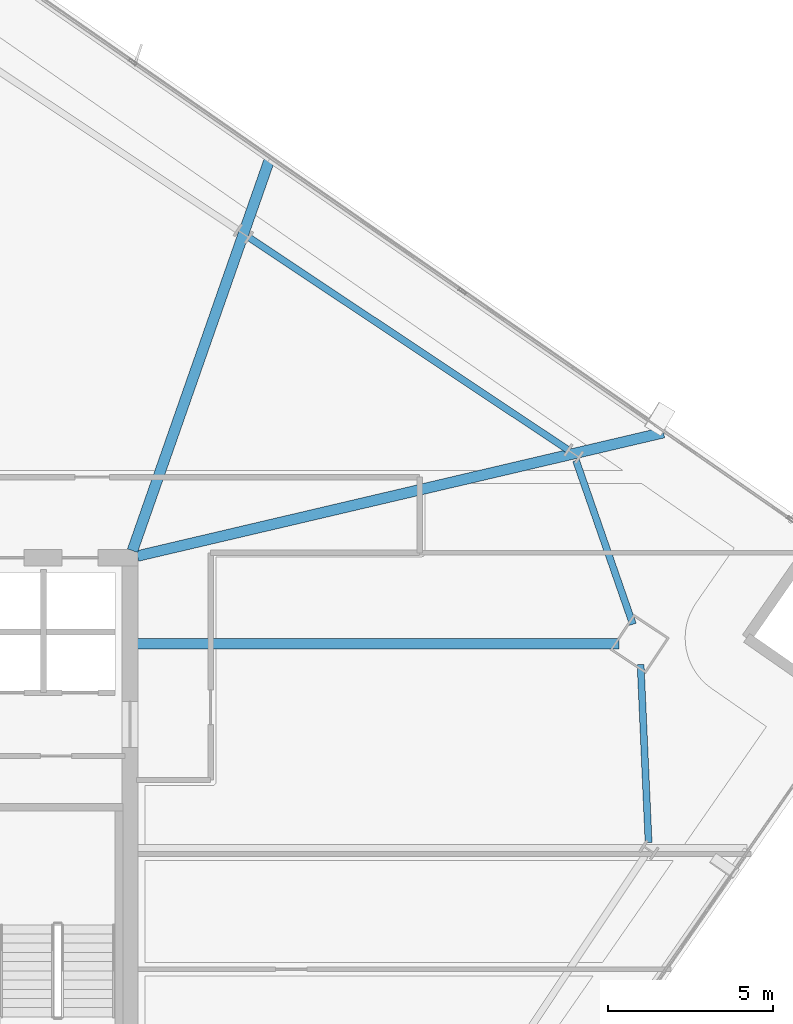
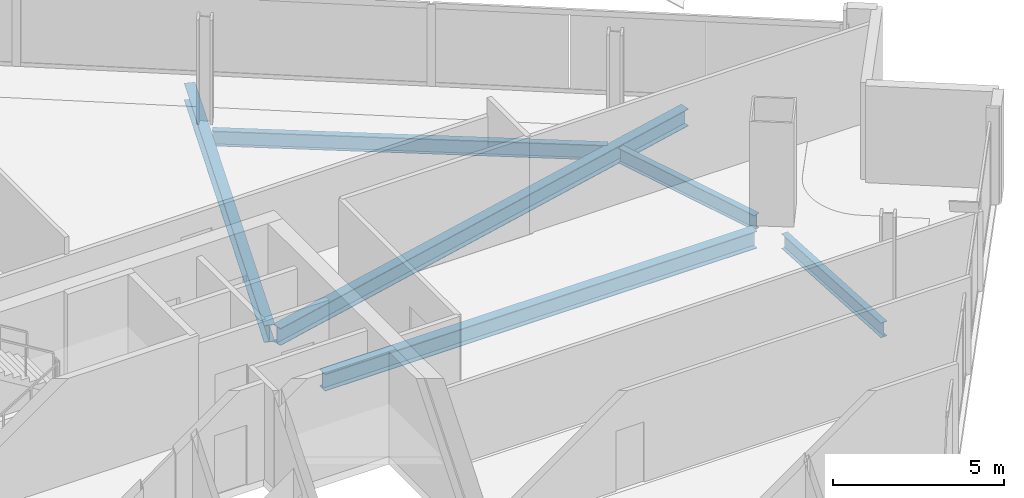
# One storey, part 17 of 30: 6 beams.
"""IFC4 building model written with IfcOpenShell, lengths in metres."""

from ifc_helpers import new_model, si_unit, direction, frame, origin, origin_2d, place, context, subcontext, project, spatial, i_section, extrude, material, material_profile, profile_set, type_object, element, save


model = new_model("IFC4")

# Units and contexts
model_context = context("Model", 3, precision=1e-05, world=origin(), true_north=direction((0.0, 1.0)))
body_context = subcontext(model_context, "Body", "Model", "MODEL_VIEW")
ifc_project = project(units=[si_unit("LENGTHUNIT", "METRE"), si_unit("AREAUNIT", "SQUARE_METRE"), si_unit("VOLUMEUNIT", "CUBIC_METRE"), si_unit("PLANEANGLEUNIT", "RADIAN"), si_unit("MASSUNIT", "GRAM", prefix="KILO")], contexts=[model_context])

# Site, building, storey
site_placement = place(None, origin())
site = spatial("IfcSite", under=ifc_project, at=site_placement, CompositionType="ELEMENT")
building_placement = place(site_placement, origin())
building = spatial("IfcBuilding", under=site, at=building_placement, Name="Haldenkirk Collegiate Tower", CompositionType="ELEMENT")
storey_placement = place(building_placement, frame((0.0, 0.0, 213.449951171875)))
storey = spatial("IfcBuildingStorey", under=building, at=storey_placement, Name="L53", CompositionType="ELEMENT", Elevation=213.449951171875)

# Beams
ifc_material = material(Name="Steel ASTM A992 Grade 50", Category="steel")
ifc_material_profile_1 = material_profile(ifc_material, i_section(OverallWidth=0.324951171875, OverallDepth=0.615966796875, WebThickness=0.013916015625, FlangeThickness=0.021484375, at=origin_2d()), Name="W24X117")
ifc_profile_set_1 = profile_set([ifc_material_profile_1], Name="Steel ASTM A992 Grade 50")
beam_type_1 = type_object("IfcBeamType", Name="BM-GIRDER-W24X117", PredefinedType="BEAM", material=ifc_profile_set_1)
beam_1_placement = place(storey_placement, frame((59.856201171875, 31.3837890625, -0.587890625), z_axis=(-1.0, 0.0, 0.0), x_axis=(0.0, -1.0, 0.0)))
element("IfcBeam", 1, at=beam_1_placement, inside=storey, type_object=beam_type_1, Name="L53 primary floor girder 02", PredefinedType="BEAM", context=body_context, shape_type="SweptSolid", body=[
    extrude(i_section(OverallWidth=0.324951171875, OverallDepth=0.615966796875, WebThickness=0.013916015625, FlangeThickness=0.021484375, at=origin_2d()), origin(), (0.0, 0.0, 1.0), 14.626220703125),
])
beam_2_placement = place(storey_placement, frame((61.20947265625, 37.8037109375, -0.587890625), z_axis=(-0.973554077988, -0.22845668568, 0.0), x_axis=(0.22845668568, -0.973554077988, 0.0)))
element("IfcBeam", 2, at=beam_2_placement, inside=storey, type_object=beam_type_1, Name="L53 primary floor girder 08", PredefinedType="BEAM", context=body_context, shape_type="SweptSolid", body=[
    extrude(i_section(OverallWidth=0.324951171875, OverallDepth=0.615966796875, WebThickness=0.013916015625, FlangeThickness=0.021484375, at=origin_2d()), origin(), (0.0, 0.0, 1.0), 16.419921875),
])
beam_3_placement = place(storey_placement, frame((49.2451171875, 46.119140625, -0.587890625), z_axis=(-0.330594449783, -0.943772912184, 0.0), x_axis=(0.943772912184, -0.330594449783, 0.0)))
element("IfcBeam", 3, at=beam_3_placement, inside=storey, type_object=beam_type_1, Name="L53 primary floor girder 09", PredefinedType="BEAM", context=body_context, shape_type="SweptSolid", body=[
    extrude(i_section(OverallWidth=0.324951171875, OverallDepth=0.615966796875, WebThickness=0.013916015625, FlangeThickness=0.021484375, at=origin_2d()), origin(), (0.0, 0.0, 1.0), 12.611083984375),
])
ifc_material_profile_2 = material_profile(ifc_material, i_section(OverallWidth=0.2099609375, OverallDepth=0.537109375, WebThickness=0.010986328125, FlangeThickness=0.017333984375, at=origin_2d()), Name="W21X68")
ifc_profile_set_2 = profile_set([ifc_material_profile_2], Name="Steel ASTM A992 Grade 50")
beam_type_2 = type_object("IfcBeamType", Name="BM-SPANDREL-W21X68", PredefinedType="SPANDREL", material=ifc_profile_set_2)
beam_4_placement = place(storey_placement, frame((60.756103515625, 25.34326171875, -0.54833984375), z_axis=(-0.044622535616, 0.999003918569, 0.0), x_axis=(-0.999003918569, -0.044622535616, 0.0)))
element("IfcBeam", 4, at=beam_4_placement, inside=storey, type_object=beam_type_2, Name="L53 perimeter spandrel beam 04", PredefinedType="SPANDREL", context=body_context, shape_type="SweptSolid", body=[
    extrude(i_section(OverallWidth=0.2099609375, OverallDepth=0.537109375, WebThickness=0.010986328125, FlangeThickness=0.017333984375, at=origin_2d()), origin(), (0.0, 0.0, 1.0), 5.41650390625),
])
beam_5_placement = place(storey_placement, frame((60.27978515625, 31.97900390625, -0.54833984375), z_axis=(-0.327807295579, 0.944744609387, 0.0), x_axis=(-0.944744609387, -0.327807295579, 0.0)))
element("IfcBeam", 5, at=beam_5_placement, inside=storey, type_object=beam_type_2, Name="L53 perimeter spandrel beam 05", PredefinedType="SPANDREL", context=body_context, shape_type="SweptSolid", body=[
    extrude(i_section(OverallWidth=0.2099609375, OverallDepth=0.537109375, WebThickness=0.010986328125, FlangeThickness=0.017333984375, at=origin_2d()), origin(), (0.0, 0.0, 1.0), 5.270751953125),
])
beam_6_placement = place(storey_placement, frame((58.30029296875, 37.28369140625, -0.54833984375), z_axis=(-0.832431545828, 0.554127892738, 0.0), x_axis=(-0.554127892738, -0.832431545828, 0.0)))
element("IfcBeam", 6, at=beam_6_placement, inside=storey, type_object=beam_type_2, Name="L53 perimeter spandrel beam 06", PredefinedType="SPANDREL", context=body_context, shape_type="SweptSolid", body=[
    extrude(i_section(OverallWidth=0.2099609375, OverallDepth=0.537109375, WebThickness=0.010986328125, FlangeThickness=0.017333984375, at=origin_2d()), origin(), (0.0, 0.0, 1.0), 11.619140625),
])

save(model, "model.ifc")
